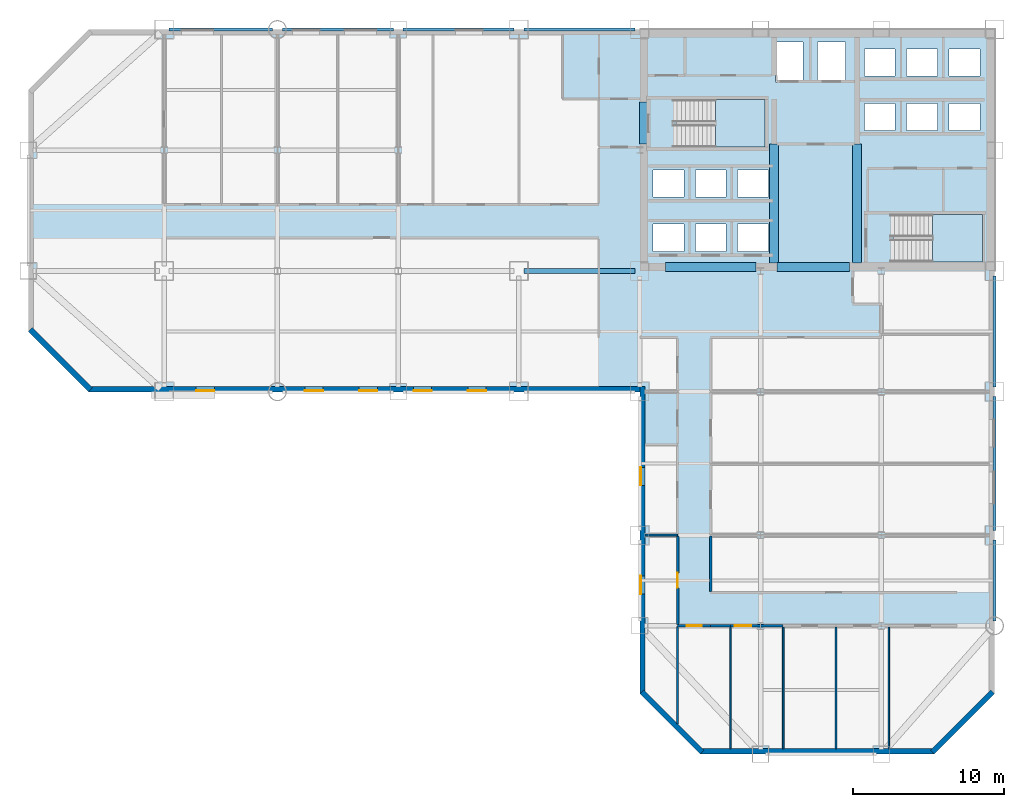
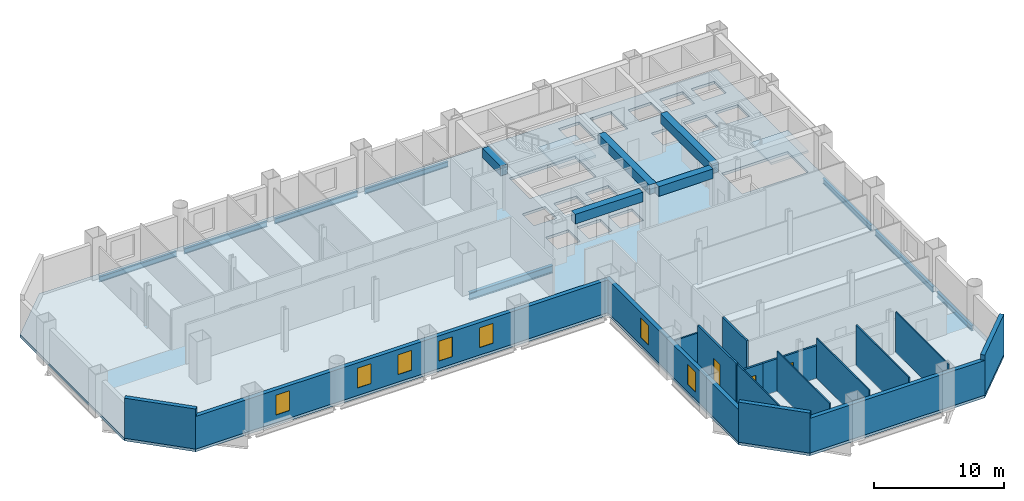
# One storey, part 4 of 9: 17 walls, 13 beams, 7 windows, 3 doors, 3 slabs, 10 openings, 2 elements without a shape of their own.
"""IFC4 building model written with IfcOpenShell, lengths in metres."""

from ifc_helpers import new_model, si_unit, direction, frame, frame_2d, origin, origin_2d, place, context, subcontext, project, spatial, polyline, rectangle, i_section, outline, extrude, material, layer, layer_set, material_profile, profile_set, type_object, element, fill, aggregate, save


model = new_model("IFC4")

# Units and contexts
model_context = context("Model", 3, precision=1e-05, world=origin(), true_north=direction((0.0, 1.0)))
body_context = subcontext(model_context, "Body", "Model", "MODEL_VIEW")
ifc_project = project(units=[si_unit("LENGTHUNIT", "METRE"), si_unit("AREAUNIT", "SQUARE_METRE"), si_unit("VOLUMEUNIT", "CUBIC_METRE"), si_unit("PLANEANGLEUNIT", "RADIAN"), si_unit("MASSUNIT", "GRAM", prefix="KILO")], contexts=[model_context])

# Site, building, storey
site_placement = place(None, origin())
site = spatial("IfcSite", under=ifc_project, at=site_placement, CompositionType="ELEMENT")
building_placement = place(site_placement, origin())
building = spatial("IfcBuilding", under=site, at=building_placement, Name="Qianrong Seaharbour Tower", CompositionType="ELEMENT")
storey_placement = place(building_placement, frame((0.0, 0.0, 32.199951171875)))
storey = spatial("IfcBuildingStorey", under=building, at=storey_placement, Name="L07", CompositionType="ELEMENT", Elevation=32.199951171875)

# Beams
ifc_material_1 = material(Name="Structural steel SN490B", Category="steel")
ifc_material_profile_1 = material_profile(ifc_material_1, i_section(OverallWidth=0.300048828125, OverallDepth=0.699951171875, WebThickness=0.012939453125, FlangeThickness=0.02392578125, FilletRadius=0.02587890625, at=origin_2d()), Name="H700x300x13x24")
ifc_profile_set_1 = profile_set([ifc_material_profile_1], Name="Structural steel SN490B")
beam_type_1 = type_object("IfcBeamType", Name="BM-G-700", PredefinedType="BEAM", material=ifc_profile_set_1)
beam_1_placement = place(storey_placement, frame((32.820068359375, 36.0, -0.599853515625), z_axis=(1.0, 0.0, 0.0), x_axis=(0.0, 1.0, 0.0)))
element("IfcBeam", 1, at=beam_1_placement, inside=storey, type_object=beam_type_1, Name="L07 Primary Girder GF G5-G6", PredefinedType="BEAM", context=body_context, shape_type="SweptSolid", body=[
    extrude(i_section(OverallWidth=0.300048828125, OverallDepth=0.699951171875, WebThickness=0.012939453125, FlangeThickness=0.02392578125, FilletRadius=0.02587890625, at=origin_2d()), origin(), (0.0, 0.0, 1.0), 7.35986328125),
])
ifc_material_2 = material(Name="Concrete C70/85", Category="concrete")
ifc_material_profile_2 = material_profile(ifc_material_2, rectangle(XDim=0.60009765625, YDim=0.89990234375, at=origin_2d()), Name="RC600x900")
ifc_profile_set_2 = profile_set([ifc_material_profile_2], Name="Concrete C70/85")
beam_type_2 = type_object("IfcBeamType", Name="BM-LINTEL-900", PredefinedType="LINTEL", material=ifc_profile_set_2)
beam_2_placement = place(storey_placement, frame((40.77001953125, 44.39990234375, 3.300048828125), z_axis=(0.0, 1.0, 0.0), x_axis=(-1.0, 0.0, 0.0)))
element("IfcBeam", 2, at=beam_2_placement, inside=storey, type_object=beam_type_2, Name="L07 Core Coupling Lintel Beam West", PredefinedType="LINTEL", context=body_context, shape_type="SweptSolid", body=[
    extrude(rectangle(XDim=0.60009765625, YDim=0.89990234375, at=origin_2d()), origin(), (0.0, 0.0, 1.0), 2.800048828125),
])
beam_3_placement = place(storey_placement, frame((42.199951171875, 36.27001953125, 3.300048828125), z_axis=(1.0, 0.0, 0.0), x_axis=(0.0, 1.0, 0.0)))
element("IfcBeam", 3, at=beam_3_placement, inside=storey, type_object=beam_type_2, Name="L07 Core Coupling Lintel Beam CBW", PredefinedType="LINTEL", context=body_context, shape_type="SweptSolid", body=[
    extrude(rectangle(XDim=0.60009765625, YDim=0.89990234375, at=origin_2d()), origin(), (0.0, 0.0, 1.0), 6.0),
])
beam_4_placement = place(storey_placement, frame((49.60009765625, 36.27001953125, 3.300048828125), z_axis=(1.0, 0.0, 0.0), x_axis=(0.0, 1.0, 0.0)))
element("IfcBeam", 4, at=beam_4_placement, inside=storey, type_object=beam_type_2, Name="L07 Core Coupling Lintel Beam CBC", PredefinedType="LINTEL", context=body_context, shape_type="SweptSolid", body=[
    extrude(rectangle(XDim=0.60009765625, YDim=0.89990234375, at=origin_2d()), origin(), (0.0, 0.0, 1.0), 4.7998046875),
])
for number, where, z_axis, x_axis, name in (
    (5, (49.39990234375, 36.5400390625, 3.300048828125), (0.0, 1.0, 0.0), (-1.0, 0.0, 0.0), "L07 Internal Core Coupling Beam IW1"),
    (6, (54.89990234375, 36.5400390625, 3.300048828125), (0.0, 1.0, 0.0), (-1.0, 0.0, 0.0), "L07 Internal Core Coupling Beam IW2"),
):
    element("IfcBeam", number, at=place(storey_placement, frame(where, z_axis=z_axis, x_axis=x_axis)), inside=storey, type_object=beam_type_2, Name=name, PredefinedType="LINTEL", context=body_context, shape_type="SweptSolid", body=[
        extrude(rectangle(XDim=0.60009765625, YDim=0.89990234375, at=origin_2d()), origin(), (0.0, 0.0, 1.0), 7.85986328125),
    ])
ifc_material_profile_3 = material_profile(ifc_material_1, i_section(OverallWidth=0.199951171875, OverallDepth=0.5, WebThickness=0.010009765625, FlangeThickness=0.01611328125, FilletRadius=0.02001953125, at=origin_2d()), Name="H500x200x10x16")
ifc_profile_set_3 = profile_set([ifc_material_profile_3], Name="Structural steel SN490B")
beam_type_3 = type_object("IfcBeamType", Name="BM-SP-500", PredefinedType="SPANDREL", material=ifc_profile_set_3)
beam_5_placement = place(storey_placement, frame((9.320068359375, 52.0, -0.5), z_axis=(1.0, 0.0, 0.0), x_axis=(0.0, 1.0, 0.0)))
element("IfcBeam", 7, at=beam_5_placement, inside=storey, type_object=beam_type_3, Name="L07 Spandrel Girder GH G2-G3", PredefinedType="SPANDREL", context=body_context, shape_type="SweptSolid", body=[
    extrude(i_section(OverallWidth=0.199951171875, OverallDepth=0.5, WebThickness=0.010009765625, FlangeThickness=0.01611328125, FilletRadius=0.02001953125, at=origin_2d()), origin(), (0.0, 0.0, 1.0), 6.85986328125),
])
for number, where, z_axis, x_axis, name in (
    (8, (16.820068359375, 52.0, -0.5), (1.0, 0.0, 0.0), (0.0, 1.0, 0.0), "L07 Spandrel Girder GH G3-G4"),
    (9, (24.820068359375, 52.0, -0.5), (1.0, 0.0, 0.0), (0.0, 1.0, 0.0), "L07 Spandrel Girder GH G4-G5"),
    (10, (32.820068359375, 52.0, -0.5), (1.0, 0.0, 0.0), (0.0, 1.0, 0.0), "L07 Spandrel Girder GH G5-G6"),
):
    element("IfcBeam", number, at=place(storey_placement, frame(where, z_axis=z_axis, x_axis=x_axis)), inside=storey, type_object=beam_type_3, Name=name, PredefinedType="SPANDREL", context=body_context, shape_type="SweptSolid", body=[
        extrude(i_section(OverallWidth=0.199951171875, OverallDepth=0.5, WebThickness=0.010009765625, FlangeThickness=0.01611328125, FilletRadius=0.02001953125, at=origin_2d()), origin(), (0.0, 0.0, 1.0), 7.35986328125),
    ])
beam_6_placement = place(storey_placement, frame((64.0, 12.820068359375, -0.5), z_axis=(0.0, 1.0, 0.0), x_axis=(-1.0, 0.0, 0.0)))
element("IfcBeam", 11, at=beam_6_placement, inside=storey, type_object=beam_type_3, Name="L07 Spandrel Girder G9 GC-GD", PredefinedType="SPANDREL", context=body_context, shape_type="SweptSolid", body=[
    extrude(i_section(OverallWidth=0.199951171875, OverallDepth=0.5, WebThickness=0.010009765625, FlangeThickness=0.01611328125, FilletRadius=0.02001953125, at=origin_2d()), origin(), (0.0, 0.0, 1.0), 5.35986328125),
])
beam_7_placement = place(storey_placement, frame((64.0, 18.820068359375, -0.5), z_axis=(0.0, 1.0, 0.0), x_axis=(-1.0, 0.0, 0.0)))
element("IfcBeam", 12, at=beam_7_placement, inside=storey, type_object=beam_type_3, Name="L07 Spandrel Girder G9 GD-GE", PredefinedType="SPANDREL", context=body_context, shape_type="SweptSolid", body=[
    extrude(i_section(OverallWidth=0.199951171875, OverallDepth=0.5, WebThickness=0.010009765625, FlangeThickness=0.01611328125, FilletRadius=0.02001953125, at=origin_2d()), origin(), (0.0, 0.0, 1.0), 8.85986328125),
])
beam_8_placement = place(storey_placement, frame((64.0, 28.320068359375, -0.5), z_axis=(0.0, 1.0, 0.0), x_axis=(-1.0, 0.0, 0.0)))
element("IfcBeam", 13, at=beam_8_placement, inside=storey, type_object=beam_type_3, Name="L07 Spandrel Girder G9 GE-GF", PredefinedType="SPANDREL", context=body_context, shape_type="SweptSolid", body=[
    extrude(i_section(OverallWidth=0.199951171875, OverallDepth=0.5, WebThickness=0.010009765625, FlangeThickness=0.01611328125, FilletRadius=0.02001953125, at=origin_2d()), origin(), (0.0, 0.0, 1.0), 7.35986328125),
])

# Stair, slab
ifc_material_3 = material(Name="Concrete C50/60", Category="concrete")
stair_type = type_object("IfcStairType", Name="STAIR-DOGLEG-1500-R22", PredefinedType="HALF_TURN_STAIR", material=ifc_material_3)
stair_1_placement = place(storey_placement, origin())
stair_1 = element("IfcStair", 14, at=stair_1_placement, inside=storey, type_object=stair_type, Name="L07 Protected Escape Stair ST-1", PredefinedType="HALF_TURN_STAIR")
ifc_layer_1 = layer(ifc_material_3, 0.199951171875)
ifc_layer_set_1 = layer_set([ifc_layer_1], Name="Concrete C50/60")
slab_type_1 = type_object("IfcSlabType", Name="SLAB-STAIR-LANDING-200", PredefinedType="LANDING", material=ifc_layer_set_1)
slab_1_placement = place(storey_placement, frame((0.0, 0.0, 1.800048828125)))
slab_1 = element("IfcSlab", 15, at=slab_1_placement, type_object=slab_type_1, Name="ST-1 landing 1", PredefinedType="LANDING", context=body_context, shape_type="SweptSolid", body=[
    extrude(outline(polyline([(45.5, 44.199951171875), (48.800048828125, 44.199951171875), (48.800048828125, 47.35009765625), (45.5, 47.35009765625), (45.5, 44.199951171875)])), origin(), (0.0, 0.0, 1.0), 0.199951171875),
])
aggregate(stair_1, [slab_1])

stair_2_placement = place(storey_placement, origin())
stair_2 = element("IfcStair", 16, at=stair_2_placement, inside=storey, type_object=stair_type, Name="L07 Protected Escape Stair ST-2", PredefinedType="HALF_TURN_STAIR")
slab_2_placement = place(storey_placement, frame((0.0, 0.0, 1.800048828125)))
slab_2 = element("IfcSlab", 17, at=slab_2_placement, type_object=slab_type_1, Name="ST-2 landing 1", PredefinedType="LANDING", context=body_context, shape_type="SweptSolid", body=[
    extrude(outline(polyline([(59.89990234375, 36.60009765625), (63.199951171875, 36.60009765625), (63.199951171875, 39.75), (59.89990234375, 39.75), (59.89990234375, 36.60009765625)])), origin(), (0.0, 0.0, 1.0), 0.199951171875),
])
aggregate(stair_2, [slab_2])

# Slab
ifc_layer_2 = layer(ifc_material_3, 0.25)
ifc_layer_set_2 = layer_set([ifc_layer_2], Name="Concrete C50/60")
slab_type_2 = type_object("IfcSlabType", Name="SLAB-Z1-250", PredefinedType="FLOOR", material=ifc_layer_set_2)
slab_3_placement = place(storey_placement, frame((0.0, 0.0, -0.25)))
element("IfcSlab", 18, at=slab_3_placement, inside=storey, type_object=slab_type_2, Name="L07 Structural Floor Slab", PredefinedType="FLOOR", context=body_context, shape_type="SweptSolid", body=[
    extrude(outline(polyline([(44.5, 4.0), (60.0, 4.0), (64.0, 8.0), (64.0, 52.0), (4.0, 52.0), (0.0, 48.0), (0.0, 32.0), (4.0, 28.0), (40.5, 28.0), (40.5, 8.0), (44.5, 4.0)]), holes=[polyline([(42.93994140625, 44.199951171875), (42.93994140625, 47.35009765625), (48.800048828125, 47.35009765625), (48.800048828125, 44.199951171875), (42.93994140625, 44.199951171875)]), polyline([(57.340087890625, 36.60009765625), (57.340087890625, 39.75), (63.199951171875, 39.75), (63.199951171875, 36.60009765625), (57.340087890625, 36.60009765625)]), polyline([(49.47998046875, 48.530029296875), (49.47998046875, 51.169921875), (51.320068359375, 51.169921875), (51.320068359375, 48.530029296875), (49.47998046875, 48.530029296875)]), polyline([(52.280029296875, 48.530029296875), (52.280029296875, 51.169921875), (54.1201171875, 51.169921875), (54.1201171875, 48.530029296875), (52.280029296875, 48.530029296875)]), polyline([(41.3798828125, 37.300048828125), (41.3798828125, 39.10009765625), (43.419921875, 39.10009765625), (43.419921875, 37.300048828125), (41.3798828125, 37.300048828125)]), polyline([(44.179931640625, 37.300048828125), (44.179931640625, 39.10009765625), (46.219970703125, 39.10009765625), (46.219970703125, 37.300048828125), (44.179931640625, 37.300048828125)]), polyline([(46.97998046875, 37.300048828125), (46.97998046875, 39.10009765625), (49.02001953125, 39.10009765625), (49.02001953125, 37.300048828125), (46.97998046875, 37.300048828125)]), polyline([(41.3798828125, 40.89990234375), (41.3798828125, 42.699951171875), (43.419921875, 42.699951171875), (43.419921875, 40.89990234375), (41.3798828125, 40.89990234375)]), polyline([(44.179931640625, 40.89990234375), (44.179931640625, 42.699951171875), (46.219970703125, 42.699951171875), (46.219970703125, 40.89990234375), (44.179931640625, 40.89990234375)]), polyline([(46.97998046875, 40.89990234375), (46.97998046875, 42.699951171875), (49.02001953125, 42.699951171875), (49.02001953125, 40.89990234375), (46.97998046875, 40.89990234375)]), polyline([(55.3798828125, 45.300048828125), (55.3798828125, 47.10009765625), (57.419921875, 47.10009765625), (57.419921875, 45.300048828125), (55.3798828125, 45.300048828125)]), polyline([(58.179931640625, 45.300048828125), (58.179931640625, 47.10009765625), (60.219970703125, 47.10009765625), (60.219970703125, 45.300048828125), (58.179931640625, 45.300048828125)]), polyline([(60.97998046875, 45.300048828125), (60.97998046875, 47.10009765625), (63.02001953125, 47.10009765625), (63.02001953125, 45.300048828125), (60.97998046875, 45.300048828125)]), polyline([(55.3798828125, 48.89990234375), (55.3798828125, 50.699951171875), (57.419921875, 50.699951171875), (57.419921875, 48.89990234375), (55.3798828125, 48.89990234375)]), polyline([(58.179931640625, 48.89990234375), (58.179931640625, 50.699951171875), (60.219970703125, 50.699951171875), (60.219970703125, 48.89990234375), (58.179931640625, 48.89990234375)]), polyline([(60.97998046875, 48.89990234375), (60.97998046875, 50.699951171875), (63.02001953125, 50.699951171875), (63.02001953125, 48.89990234375), (60.97998046875, 48.89990234375)])]), origin(), (0.0, 0.0, 1.0), 0.25),
])

# Wall
ifc_material_4 = material(Name="Fire-rated acoustic gypsum board partition")
ifc_layer_3 = layer(ifc_material_4, 0.1650390625)
ifc_layer_set_3 = layer_set([ifc_layer_3], Name="Fire-rated acoustic gypsum board partition")
wall_type_1 = type_object("IfcWallType", Name="WALL-CORR-PART-165", PredefinedType="PARTITIONING", material=ifc_layer_set_3)
wall_1_placement = place(storey_placement, frame((45.199951171875, 18.452880859375, 0.0), z_axis=(0.0, 0.0, 1.0), x_axis=(0.0, -1.0, 0.0)))
element("IfcWall", 19, at=wall_1_placement, inside=storey, type_object=wall_type_1, Name="L07 Interior Partition Wall 030", PredefinedType="PARTITIONING", context=body_context, shape_type="SweptSolid", body=[
    extrude(rectangle(XDim=3.678466796875, YDim=0.1650390625, at=frame_2d((1.83935546875, 0.0))), origin(), (0.0, 0.0, 1.0), 3.75),
])

# Wall, opening, door
wall_2_placement = place(storey_placement, frame((43.0, 12.574462890625, 0.0), z_axis=(0.0, 0.0, 1.0), x_axis=(0.0, 1.0, 0.0)))
wall_2 = element("IfcWall", 20, at=wall_2_placement, inside=storey, type_object=wall_type_1, Name="L07 Interior Partition Wall 034", PredefinedType="PARTITIONING", context=body_context, shape_type="SweptSolid", body=[
    extrude(rectangle(XDim=5.86865234375, YDim=0.1650390625, at=frame_2d((2.934326171875, 0.0))), origin(), (0.0, 0.0, 1.0), 3.75),
])
opening_1_placement = place(wall_2_placement, frame((2.434326171875, 0.0, 0.0)))
opening_1 = element("IfcOpeningElement", 21, at=opening_1_placement, cuts=wall_2, Name="Opening DO-01", PredefinedType="OPENING", context=body_context, shape_type="SweptSolid", body=[
    extrude(rectangle(XDim=1.0, YDim=2.14990234375, at=frame_2d((0.5, 1.074951171875))), frame((0.0, 0.092529296875, 0.0), z_axis=(0.0, -1.0, 0.0), x_axis=(1.0, 0.0, 0.0)), (0.0, 0.0, 1.0), 0.18505859375),
])
ifc_material_5 = material(Name="Acoustic timber and galvanized steel fire door assembly", Category="steel")
door_type_1 = type_object("IfcDoorType", Name="DOOR-OFFICE-1000x2150", OperationType="NOTDEFINED", PredefinedType="DOOR", material=ifc_material_5)
door_1_placement = place(opening_1_placement, origin())
door_1 = element("IfcDoor", 22, at=door_1_placement, inside=storey, type_object=door_type_1, Name="L07 Executive Office 1 Door", OperationType="SINGLE_SWING_LEFT", OverallHeight=2.14990234375, OverallWidth=1.0, PredefinedType="DOOR", context=body_context, shape_type="SweptSolid", body=[
    extrude(rectangle(XDim=1.0, YDim=2.14990234375, at=frame_2d((0.5, 1.074951171875))), frame((0.0, 0.02490234375, 0.0), z_axis=(0.0, -1.0, 0.0), x_axis=(1.0, 0.0, 0.0)), (0.0, 0.0, 1.0), 0.050048828125),
])
fill(opening_1, door_1)

wall_3_placement = place(storey_placement, frame((45.199951171875, 12.5, 0.0), z_axis=(0.0, 0.0, 1.0), x_axis=(-1.0, 0.0, 0.0)))
wall_3 = element("IfcWall", 23, at=wall_3_placement, inside=storey, type_object=wall_type_1, Name="L07 Interior Partition Wall 038", PredefinedType="PARTITIONING", context=body_context, shape_type="SweptSolid", body=[
    extrude(rectangle(XDim=2.199951171875, YDim=0.1650390625, at=frame_2d((1.10009765625, 0.0))), origin(), (0.0, 0.0, 1.0), 3.0419921875),
])
opening_2_placement = place(wall_3_placement, frame((0.60009765625, 0.0, 0.0)))
opening_2 = element("IfcOpeningElement", 24, at=opening_2_placement, cuts=wall_3, Name="Opening DO-01", PredefinedType="OPENING", context=body_context, shape_type="SweptSolid", body=[
    extrude(rectangle(XDim=1.0, YDim=2.14990234375, at=frame_2d((0.5, 1.074951171875))), frame((0.0, 0.092529296875, 0.0), z_axis=(0.0, -1.0, 0.0), x_axis=(1.0, 0.0, 0.0)), (0.0, 0.0, 1.0), 0.18505859375),
])
door_2_placement = place(opening_2_placement, origin())
door_2 = element("IfcDoor", 25, at=door_2_placement, inside=storey, type_object=door_type_1, Name="L07 Executive Office 1 Door", OperationType="SINGLE_SWING_LEFT", OverallHeight=2.14990234375, OverallWidth=1.0, PredefinedType="DOOR", context=body_context, shape_type="SweptSolid", body=[
    extrude(rectangle(XDim=1.0, YDim=2.14990234375, at=frame_2d((0.5, 1.074951171875))), frame((0.0, 0.02490234375, 0.0), z_axis=(0.0, -1.0, 0.0), x_axis=(1.0, 0.0, 0.0)), (0.0, 0.0, 1.0), 0.050048828125),
])
fill(opening_2, door_2)

# Wall
wall_4_placement = place(storey_placement, frame((46.5, 12.5, 0.0), z_axis=(0.0, 0.0, 1.0), x_axis=(-1.0, 0.0, 0.0)))
element("IfcWall", 26, at=wall_4_placement, inside=storey, type_object=wall_type_1, Name="L07 Interior Partition Wall 040", PredefinedType="PARTITIONING", context=body_context, shape_type="SweptSolid", body=[
    extrude(rectangle(XDim=1.300048828125, YDim=0.1650390625, at=frame_2d((0.64990234375, 0.0))), origin(), (0.0, 0.0, 1.0), 3.0419921875),
])

# Wall, opening, door
wall_5_placement = place(storey_placement, frame((50.0, 12.5, 0.0), z_axis=(0.0, 0.0, 1.0), x_axis=(-1.0, 0.0, 0.0)))
wall_5 = element("IfcWall", 27, at=wall_5_placement, inside=storey, type_object=wall_type_1, Name="L07 Interior Partition Wall 041", PredefinedType="PARTITIONING", context=body_context, shape_type="SweptSolid", body=[
    extrude(rectangle(XDim=3.5, YDim=0.1650390625, at=frame_2d((1.75, 0.0))), origin(), (0.0, 0.0, 1.0), 3.0419921875),
])
opening_3_placement = place(wall_5_placement, frame((2.10009765625, 0.0, 0.0)))
opening_3 = element("IfcOpeningElement", 28, at=opening_3_placement, cuts=wall_5, Name="Opening DM-01", PredefinedType="OPENING", context=body_context, shape_type="SweptSolid", body=[
    extrude(rectangle(XDim=1.10009765625, YDim=2.199951171875, at=frame_2d((0.550048828125, 1.10009765625))), frame((0.0, 0.092529296875, 0.0), z_axis=(0.0, -1.0, 0.0), x_axis=(1.0, 0.0, 0.0)), (0.0, 0.0, 1.0), 0.18505859375),
])
door_type_2 = type_object("IfcDoorType", Name="DOOR-MEET-1100x2200", OperationType="NOTDEFINED", PredefinedType="DOOR", material=ifc_material_5)
door_3_placement = place(opening_3_placement, origin())
door_3 = element("IfcDoor", 29, at=door_3_placement, inside=storey, type_object=door_type_2, Name="L07 Meeting Room 2 Door", OperationType="SINGLE_SWING_RIGHT", OverallHeight=2.199951171875, OverallWidth=1.10009765625, PredefinedType="DOOR", context=body_context, shape_type="SweptSolid", body=[
    extrude(rectangle(XDim=1.10009765625, YDim=2.199951171875, at=frame_2d((0.550048828125, 1.10009765625))), frame((0.0, 0.02490234375, 0.0), z_axis=(0.0, -1.0, 0.0), x_axis=(1.0, 0.0, 0.0)), (0.0, 0.0, 1.0), 0.050048828125),
])
fill(opening_3, door_3)

# Walls
ifc_material_6 = material(Name="Demountable aluminium-framed acoustic office partition", Category="aluminium")
ifc_layer_4 = layer(ifc_material_6, 0.110107421875)
ifc_layer_set_4 = layer_set([ifc_layer_4], Name="Demountable aluminium-framed acoustic office partition")
wall_type_2 = type_object("IfcWallType", Name="WALL-DEMOUNT-110", PredefinedType="MOVABLE", material=ifc_layer_set_4)
wall_6_placement = place(storey_placement, frame((43.0, 12.425537109375, 0.0), z_axis=(0.0, 0.0, 1.0), x_axis=(0.0, -1.0, 0.0)))
element("IfcWall", 30, at=wall_6_placement, inside=storey, type_object=wall_type_2, Name="L07 Interior Partition Wall 057", PredefinedType="MOVABLE", context=body_context, shape_type="SweptSolid", body=[
    extrude(rectangle(XDim=6.427734375, YDim=0.110107421875, at=frame_2d((3.2138671875, 0.0))), origin(), (0.0, 0.0, 1.0), 3.75),
])
for number, where, z_axis, x_axis, name in (
    (31, (46.5, 12.425537109375, 0.0), (0.0, 0.0, 1.0), (0.0, -1.0, 0.0), "L07 Interior Partition Wall 060"),
    (32, (50.0, 12.425537109375, 0.0), (0.0, 0.0, 1.0), (0.0, -1.0, 0.0), "L07 Interior Partition Wall 061"),
    (33, (53.5, 12.425537109375, 0.0), (0.0, 0.0, 1.0), (0.0, -1.0, 0.0), "L07 Interior Partition Wall 062"),
    (34, (57.0, 12.425537109375, 0.0), (0.0, 0.0, 1.0), (0.0, -1.0, 0.0), "L07 Interior Partition Wall 063"),
):
    element("IfcWall", number, at=place(storey_placement, frame(where, z_axis=z_axis, x_axis=x_axis)), inside=storey, type_object=wall_type_2, Name=name, PredefinedType="MOVABLE", context=body_context, shape_type="SweptSolid", body=[
        extrude(rectangle(XDim=8.073486328125, YDim=0.110107421875, at=frame_2d((4.03662109375, 0.0))), origin(), (0.0, 0.0, 1.0), 3.75),
    ])

# Wall, openings, windows
ifc_material_7 = material(Name="Unitised red brick on Precast concrete C45/55", Category="masonry")
ifc_layer_5 = layer(ifc_material_7, 0.360107421875)
ifc_layer_set_5 = layer_set([ifc_layer_5], Name="Unitised red brick on Precast concrete C45/55")
wall_type_3 = type_object("IfcWallType", Name="WALL-EXT-BRICK-RED-360", PredefinedType="SOLIDWALL", material=ifc_layer_set_5)
wall_7_placement = place(storey_placement, frame((40.679931640625, 8.0, 0.0), z_axis=(0.0, 0.0, 1.0), x_axis=(0.0, 1.0, 0.0)))
wall_7 = element("IfcWall", 35, at=wall_7_placement, inside=storey, type_object=wall_type_3, Name="L07 Exterior Masonry Facade Wall REENTRANT_WEST", PredefinedType="SOLIDWALL", context=body_context, shape_type="SweptSolid", body=[
    extrude(rectangle(XDim=20.360107421875, YDim=0.360107421875, at=frame_2d((10.18017578125, 0.0))), origin(), (0.0, 0.0, 1.0), 3.050048828125),
])
opening_4_placement = place(wall_7_placement, frame((6.60009765625, 0.0, 0.699951171875)))
opening_4 = element("IfcOpeningElement", 36, at=opening_4_placement, cuts=wall_7, Name="Opening WN-01", PredefinedType="OPENING", context=body_context, shape_type="SweptSolid", body=[
    extrude(rectangle(XDim=1.199951171875, YDim=1.85009765625, at=frame_2d((0.60009765625, 0.925048828125))), frame((0.0, 0.18994140625, 0.0), z_axis=(0.0, -1.0, 0.0), x_axis=(1.0, 0.0, 0.0)), (0.0, 0.0, 1.0), 0.380126953125),
])
opening_5_placement = place(wall_7_placement, frame((13.800048828125, 0.0, 0.699951171875)))
opening_5 = element("IfcOpeningElement", 37, at=opening_5_placement, cuts=wall_7, Name="Opening WN-01", PredefinedType="OPENING", context=body_context, shape_type="SweptSolid", body=[
    extrude(rectangle(XDim=1.199951171875, YDim=1.85009765625, at=frame_2d((0.60009765625, 0.925048828125))), frame((0.0, 0.18994140625, 0.0), z_axis=(0.0, -1.0, 0.0), x_axis=(1.0, 0.0, 0.0)), (0.0, 0.0, 1.0), 0.380126953125),
])
ifc_material_8 = material(Name="Insulated low-e double glazing in thermally broken aluminium 6063-T6 frame", Category="aluminium")
window_type = type_object("IfcWindowType", Name="WIN-PUNCH-1200x1850", PartitioningType="DOUBLE_PANEL_VERTICAL", PredefinedType="WINDOW", material=ifc_material_8)
window_1_placement = place(opening_4_placement, origin())
window_1 = element("IfcWindow", 38, at=window_1_placement, inside=storey, type_object=window_type, Name="L07 Deep-Set Punched Window 00.02", OverallHeight=1.85009765625, OverallWidth=1.199951171875, PartitioningType="DOUBLE_PANEL_VERTICAL", PredefinedType="WINDOW", context=body_context, shape_type="SweptSolid", body=[
    extrude(rectangle(XDim=1.199951171875, YDim=1.85009765625, at=frame_2d((0.60009765625, 0.925048828125))), frame((0.0, 0.150146484375, 0.0), z_axis=(0.0, -1.0, 0.0), x_axis=(1.0, 0.0, 0.0)), (0.0, 0.0, 1.0), 0.06005859375),
])
fill(opening_4, window_1)
window_2_placement = place(opening_5_placement, origin())
window_2 = element("IfcWindow", 39, at=window_2_placement, inside=storey, type_object=window_type, Name="L07 Deep-Set Punched Window 00.04", OverallHeight=1.85009765625, OverallWidth=1.199951171875, PartitioningType="DOUBLE_PANEL_VERTICAL", PredefinedType="WINDOW", context=body_context, shape_type="SweptSolid", body=[
    extrude(rectangle(XDim=1.199951171875, YDim=1.85009765625, at=frame_2d((0.60009765625, 0.925048828125))), frame((0.0, 0.150146484375, 0.0), z_axis=(0.0, -1.0, 0.0), x_axis=(1.0, 0.0, 0.0)), (0.0, 0.0, 1.0), 0.06005859375),
])
fill(opening_5, window_2)

wall_8_placement = place(storey_placement, frame((40.52001953125, 28.179931640625, 0.0), z_axis=(0.0, 0.0, 1.0), x_axis=(-1.0, 0.0, 0.0)))
wall_8 = element("IfcWall", 40, at=wall_8_placement, inside=storey, type_object=wall_type_3, Name="L07 Exterior Masonry Facade Wall HARBOUR_RIBBON", PredefinedType="SOLIDWALL", context=body_context, shape_type="SweptSolid", body=[
    extrude(rectangle(XDim=36.52001953125, YDim=0.360107421875, at=frame_2d((18.260009765625, 0.0))), origin(), (0.0, 0.0, 1.0), 3.050048828125),
])
opening_6_placement = place(wall_8_placement, frame((10.199951171875, 0.0, 0.699951171875)))
opening_6 = element("IfcOpeningElement", 41, at=opening_6_placement, cuts=wall_8, Name="Opening WN-01", PredefinedType="OPENING", context=body_context, shape_type="SweptSolid", body=[
    extrude(rectangle(XDim=1.199951171875, YDim=1.85009765625, at=frame_2d((0.60009765625, 0.925048828125))), frame((0.0, 0.18994140625, 0.0), z_axis=(0.0, -1.0, 0.0), x_axis=(1.0, 0.0, 0.0)), (0.0, 0.0, 1.0), 0.380126953125),
])
opening_7_placement = place(wall_8_placement, frame((13.800048828125, 0.0, 0.699951171875)))
opening_7 = element("IfcOpeningElement", 42, at=opening_7_placement, cuts=wall_8, Name="Opening WN-01", PredefinedType="OPENING", context=body_context, shape_type="SweptSolid", body=[
    extrude(rectangle(XDim=1.199951171875, YDim=1.85009765625, at=frame_2d((0.60009765625, 0.925048828125))), frame((0.0, 0.18994140625, 0.0), z_axis=(0.0, -1.0, 0.0), x_axis=(1.0, 0.0, 0.0)), (0.0, 0.0, 1.0), 0.380126953125),
])
opening_8_placement = place(wall_8_placement, frame((17.39990234375, 0.0, 0.699951171875)))
opening_8 = element("IfcOpeningElement", 43, at=opening_8_placement, cuts=wall_8, Name="Opening WN-01", PredefinedType="OPENING", context=body_context, shape_type="SweptSolid", body=[
    extrude(rectangle(XDim=1.199951171875, YDim=1.85009765625, at=frame_2d((0.60009765625, 0.925048828125))), frame((0.0, 0.18994140625, 0.0), z_axis=(0.0, -1.0, 0.0), x_axis=(1.0, 0.0, 0.0)), (0.0, 0.0, 1.0), 0.380126953125),
])
opening_9_placement = place(wall_8_placement, frame((21.0, 0.0, 0.699951171875)))
opening_9 = element("IfcOpeningElement", 44, at=opening_9_placement, cuts=wall_8, Name="Opening WN-01", PredefinedType="OPENING", context=body_context, shape_type="SweptSolid", body=[
    extrude(rectangle(XDim=1.199951171875, YDim=1.85009765625, at=frame_2d((0.60009765625, 0.925048828125))), frame((0.0, 0.18994140625, 0.0), z_axis=(0.0, -1.0, 0.0), x_axis=(1.0, 0.0, 0.0)), (0.0, 0.0, 1.0), 0.380126953125),
])
opening_10_placement = place(wall_8_placement, frame((28.199951171875, 0.0, 0.699951171875)))
opening_10 = element("IfcOpeningElement", 45, at=opening_10_placement, cuts=wall_8, Name="Opening WN-01", PredefinedType="OPENING", context=body_context, shape_type="SweptSolid", body=[
    extrude(rectangle(XDim=1.199951171875, YDim=1.85009765625, at=frame_2d((0.60009765625, 0.925048828125))), frame((0.0, 0.18994140625, 0.0), z_axis=(0.0, -1.0, 0.0), x_axis=(1.0, 0.0, 0.0)), (0.0, 0.0, 1.0), 0.380126953125),
])
window_3_placement = place(opening_6_placement, origin())
window_3 = element("IfcWindow", 46, at=window_3_placement, inside=storey, type_object=window_type, Name="L07 Deep-Set Punched Window 01.03", OverallHeight=1.85009765625, OverallWidth=1.199951171875, PartitioningType="DOUBLE_PANEL_VERTICAL", PredefinedType="WINDOW", context=body_context, shape_type="SweptSolid", body=[
    extrude(rectangle(XDim=1.199951171875, YDim=1.85009765625, at=frame_2d((0.60009765625, 0.925048828125))), frame((0.0, 0.150146484375, 0.0), z_axis=(0.0, -1.0, 0.0), x_axis=(1.0, 0.0, 0.0)), (0.0, 0.0, 1.0), 0.06005859375),
])
fill(opening_6, window_3)
window_4_placement = place(opening_7_placement, origin())
window_4 = element("IfcWindow", 47, at=window_4_placement, inside=storey, type_object=window_type, Name="L07 Deep-Set Punched Window 01.04", OverallHeight=1.85009765625, OverallWidth=1.199951171875, PartitioningType="DOUBLE_PANEL_VERTICAL", PredefinedType="WINDOW", context=body_context, shape_type="SweptSolid", body=[
    extrude(rectangle(XDim=1.199951171875, YDim=1.85009765625, at=frame_2d((0.60009765625, 0.925048828125))), frame((0.0, 0.150146484375, 0.0), z_axis=(0.0, -1.0, 0.0), x_axis=(1.0, 0.0, 0.0)), (0.0, 0.0, 1.0), 0.06005859375),
])
fill(opening_7, window_4)
window_5_placement = place(opening_8_placement, origin())
window_5 = element("IfcWindow", 48, at=window_5_placement, inside=storey, type_object=window_type, Name="L07 Deep-Set Punched Window 01.05", OverallHeight=1.85009765625, OverallWidth=1.199951171875, PartitioningType="DOUBLE_PANEL_VERTICAL", PredefinedType="WINDOW", context=body_context, shape_type="SweptSolid", body=[
    extrude(rectangle(XDim=1.199951171875, YDim=1.85009765625, at=frame_2d((0.60009765625, 0.925048828125))), frame((0.0, 0.150146484375, 0.0), z_axis=(0.0, -1.0, 0.0), x_axis=(1.0, 0.0, 0.0)), (0.0, 0.0, 1.0), 0.06005859375),
])
fill(opening_8, window_5)
window_6_placement = place(opening_9_placement, origin())
window_6 = element("IfcWindow", 49, at=window_6_placement, inside=storey, type_object=window_type, Name="L07 Deep-Set Punched Window 01.06", OverallHeight=1.85009765625, OverallWidth=1.199951171875, PartitioningType="DOUBLE_PANEL_VERTICAL", PredefinedType="WINDOW", context=body_context, shape_type="SweptSolid", body=[
    extrude(rectangle(XDim=1.199951171875, YDim=1.85009765625, at=frame_2d((0.60009765625, 0.925048828125))), frame((0.0, 0.150146484375, 0.0), z_axis=(0.0, -1.0, 0.0), x_axis=(1.0, 0.0, 0.0)), (0.0, 0.0, 1.0), 0.06005859375),
])
fill(opening_9, window_6)
window_7_placement = place(opening_10_placement, origin())
window_7 = element("IfcWindow", 50, at=window_7_placement, inside=storey, type_object=window_type, Name="L07 Deep-Set Punched Window 01.08", OverallHeight=1.85009765625, OverallWidth=1.199951171875, PartitioningType="DOUBLE_PANEL_VERTICAL", PredefinedType="WINDOW", context=body_context, shape_type="SweptSolid", body=[
    extrude(rectangle(XDim=1.199951171875, YDim=1.85009765625, at=frame_2d((0.60009765625, 0.925048828125))), frame((0.0, 0.150146484375, 0.0), z_axis=(0.0, -1.0, 0.0), x_axis=(1.0, 0.0, 0.0)), (0.0, 0.0, 1.0), 0.06005859375),
])
fill(opening_10, window_7)

# Walls
for number, where, z_axis, x_axis, name in (
    (51, (4.127197265625, 28.127197265625, 0.0), (0.0, 0.0, 1.0), (-0.707106781187, 0.707106781187, 0.0), "L07 Exterior Masonry Facade Wall E02"),
    (52, (63.872802734375, 8.127197265625, 0.0), (0.0, 0.0, 1.0), (-0.707106781187, -0.707106781187, 0.0), "L07 Exterior Masonry Facade Wall E07"),
):
    element("IfcWall", number, at=place(storey_placement, frame(where, z_axis=z_axis, x_axis=x_axis)), inside=storey, type_object=wall_type_3, Name=name, PredefinedType="SOLIDWALL", context=body_context, shape_type="SweptSolid", body=[
        extrude(rectangle(XDim=5.65673828125, YDim=0.360107421875, at=frame_2d((2.828369140625, 0.0))), origin(), (0.0, 0.0, 1.0), 3.75),
    ])
wall_9_placement = place(storey_placement, frame((60.0, 4.179931640625, 0.0), z_axis=(0.0, 0.0, 1.0), x_axis=(-1.0, 0.0, 0.0)))
element("IfcWall", 53, at=wall_9_placement, inside=storey, type_object=wall_type_3, Name="L07 Exterior Masonry Facade Wall SOUTH_TIP", PredefinedType="SOLIDWALL", context=body_context, shape_type="SweptSolid", body=[
    extrude(rectangle(XDim=15.5, YDim=0.360107421875, at=frame_2d((7.75, 0.0))), origin(), (0.0, 0.0, 1.0), 3.25),
])
wall_10_placement = place(storey_placement, frame((44.627197265625, 4.127197265625, 0.0), z_axis=(0.0, 0.0, 1.0), x_axis=(-0.707106781187, 0.707106781187, 0.0)))
element("IfcWall", 54, at=wall_10_placement, inside=storey, type_object=wall_type_3, Name="L07 Exterior Masonry Facade Wall E09", PredefinedType="SOLIDWALL", context=body_context, shape_type="SweptSolid", body=[
    extrude(rectangle(XDim=5.65673828125, YDim=0.360107421875, at=frame_2d((2.828369140625, 0.0))), origin(), (0.0, 0.0, 1.0), 3.75),
])
ifc_material_9 = material(Name="Water-resistant cement board sanitary partition")
ifc_layer_6 = layer(ifc_material_9, 0.1298828125)
ifc_layer_set_6 = layer_set([ifc_layer_6], Name="Water-resistant cement board sanitary partition")
wall_type_4 = type_object("IfcWallType", Name="WALL-WET-PART-130", PredefinedType="PARTITIONING", material=ifc_layer_set_6)
wall_11_placement = place(storey_placement, frame((40.85205078125, 18.5, 0.0), z_axis=(0.0, 0.0, 1.0), x_axis=(1.0, 0.0, 0.0)))
element("IfcWall", 55, at=wall_11_placement, inside=storey, type_object=wall_type_4, Name="L07 Interior Partition Wall 056", PredefinedType="PARTITIONING", context=body_context, shape_type="SweptSolid", body=[
    extrude(rectangle(XDim=2.14794921875, YDim=0.1298828125, at=frame_2d((1.073974609375, 0.0))), origin(), (0.0, 0.0, 1.0), 3.0419921875),
])

save(model, "model.ifc")
